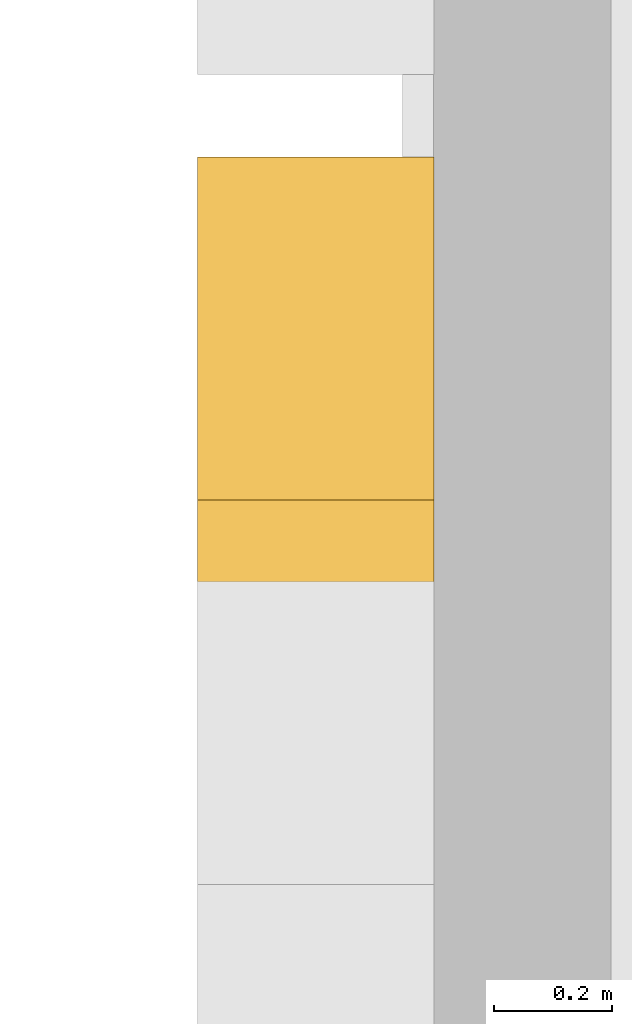
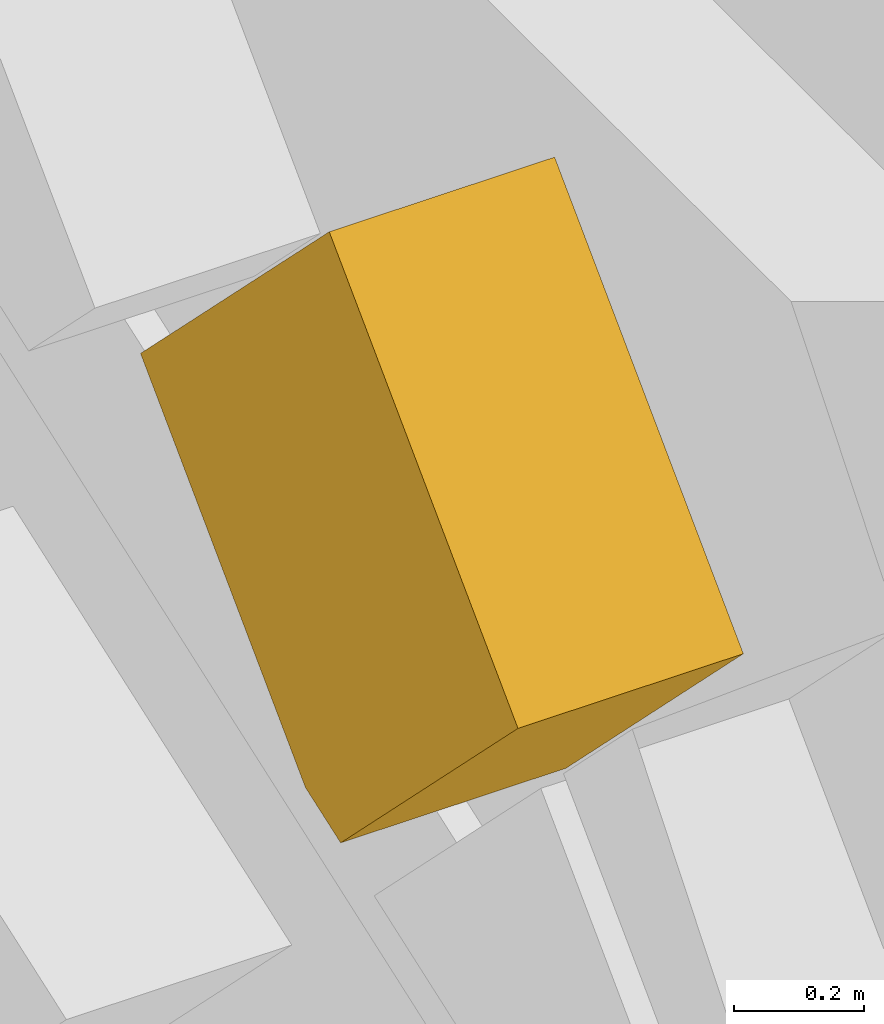
# One storey, part 23 of 29: 1 covering.
"""IFC4 building model written with IfcOpenShell, lengths in metres."""

from ifc_helpers import new_model, si_unit, direction, frame, origin, place, context, subcontext, project, spatial, polyline, outline, extrude, material, layer, layer_set, type_object, element, save


model = new_model("IFC4")

# Units and contexts
model_context = context("Model", 3, precision=1e-05, world=origin(), true_north=direction((0.0, 1.0)))
body_context = subcontext(model_context, "Body", "Model", "MODEL_VIEW")
ifc_project = project(units=[si_unit("LENGTHUNIT", "METRE"), si_unit("AREAUNIT", "SQUARE_METRE"), si_unit("VOLUMEUNIT", "CUBIC_METRE"), si_unit("PLANEANGLEUNIT", "RADIAN"), si_unit("MASSUNIT", "GRAM", prefix="KILO")], contexts=[model_context])

# Site, building, storey
site_placement = place(None, origin())
site = spatial("IfcSite", under=ifc_project, at=site_placement, CompositionType="ELEMENT")
building_placement = place(site_placement, origin())
building = spatial("IfcBuilding", under=site, at=building_placement, Name="Mahtab Terrace Research Tower", CompositionType="ELEMENT")
storey_placement = place(building_placement, frame((0.0, 0.0, 37.300048828125)))
storey = spatial("IfcBuildingStorey", under=building, at=storey_placement, Name="L08", CompositionType="ELEMENT", Elevation=37.300048828125)

# Covering
ifc_material = material(Name="Bronze anodised aluminium", Category="aluminium")
ifc_layer = layer(ifc_material, 0.39990234375)
ifc_layer_set = layer_set([ifc_layer], Name="Mashrabiya relief panel 400")
covering_type = type_object("IfcCoveringType", Name="Mashrabiya relief panel 400", PredefinedType="CLADDING", material=ifc_layer_set)
covering_placement = place(storey_placement, frame((-48.14990234375, 7.930908203125, 3.0), z_axis=(1.0, 0.0, 0.0), x_axis=(0.0, -0.707106781187, 0.707106781187)))
element("IfcCovering", 1, at=covering_placement, inside=storey, type_object=covering_type, Name="Mashrabiya lattice cell L08 W15.8", PredefinedType="CLADDING", context=body_context, shape_type="SweptSolid", body=[
    extrude(outline(polyline([(0.0, 0.0), (0.8200090846279543, 0.0), (0.820181718119455, 0.820181718119455), (0.04937317856917789, 0.8203543516109556), (-0.0001726334915006511, 0.716946890202083), (0.0, 0.0)])), origin(), (0.0, 0.0, -1.0), 0.39990234375),
])

save(model, "model.ifc")
